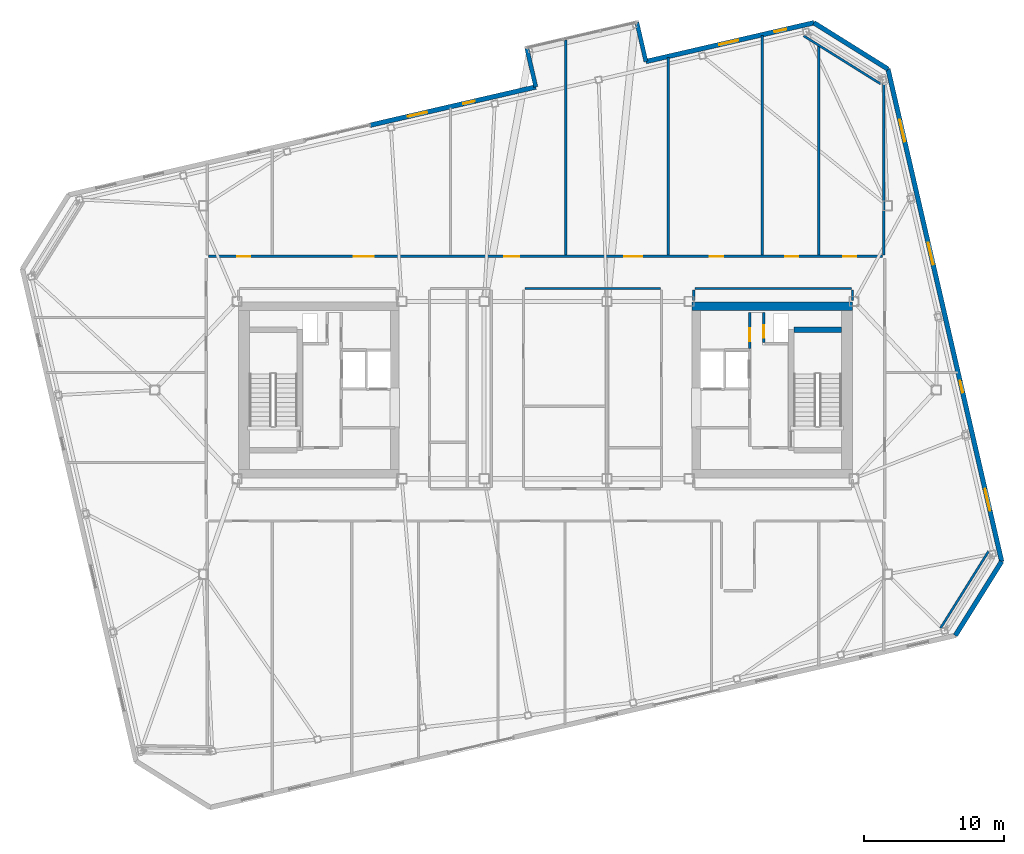
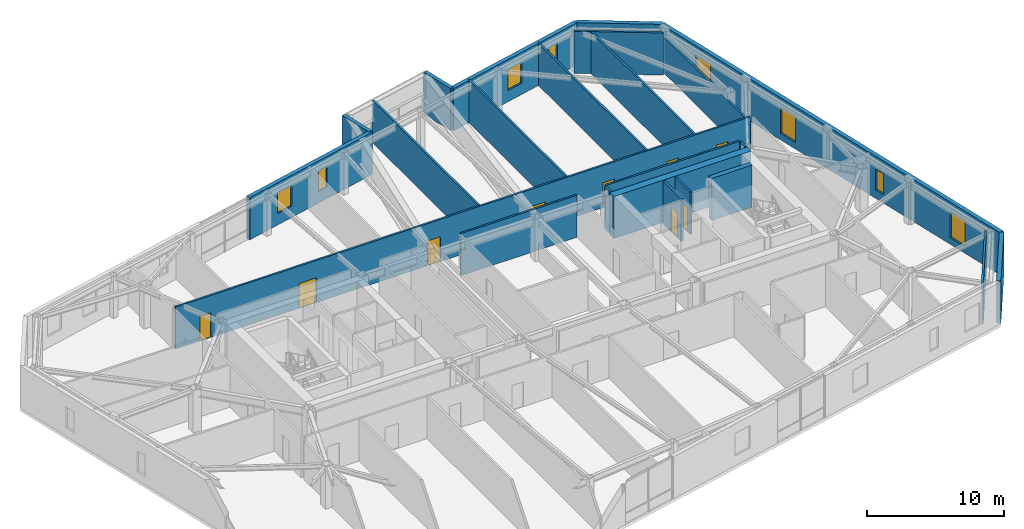
# One storey, part 20 of 24: 23 walls, 9 doors, 8 windows, 17 openings.
"""IFC4 building model written with IfcOpenShell, lengths in metres."""

import ifcopenshell
import ifcopenshell.guid

model = None  # the IFC model being written
_history = None  # IfcOwnerHistory: only IFC2X3 demands one
_inside = {}  # id of a spatial element -> (the spatial element, [elements in it])
_under = {}  # id of a project, library or spatial element -> (it, [spatial elements below it])
_declared = {}  # id of a project -> (the project, [libraries it declares])
_typed = {}  # id of a type object -> (the type object, [elements of that type])
_made_of = {}  # id of a material, layer set ... -> (it, [elements and type objects made of it])


def new_model(schema):
    """Start an empty IFC model of exactly this schema.

    Asked for "IFC4X3", IfcOpenShell would pick the latest addendum, in which some entities
    have other attributes; the version numbers below select the first issue.
    IFC2X3 requires an IfcOwnerHistory on every rooted entity: one is made here for all.
    """
    global model, _history
    if schema == "IFC4X3":
        model = ifcopenshell.file(schema_version=(4, 3, 0, 0))
    else:
        model = ifcopenshell.file(schema=schema)
    _inside.clear()
    _under.clear()
    _declared.clear()
    _typed.clear()
    _made_of.clear()
    _history = None
    if model.schema == "IFC2X3":
        org = make("IfcOrganization", Name="unknown")
        user = make(
            "IfcPersonAndOrganization",
            ThePerson=make("IfcPerson", FamilyName="unknown"),
            TheOrganization=org,
        )
        app = make(
            "IfcApplication",
            ApplicationDeveloper=org,
            Version="unknown",
            ApplicationFullName="unknown",
            ApplicationIdentifier="unknown",
        )
        _history = make(
            "IfcOwnerHistory",
            OwningUser=user,
            OwningApplication=app,
            ChangeAction="ADDED",
            CreationDate=0,
        )
    return model


def make(cls, **values):
    """One entity of the class cls with the attributes given. An attribute that is None is left unset."""
    return model.create_entity(
        cls, **{name: value for name, value in values.items() if value is not None}
    )


def rooted(cls, **values):
    """An entity with a GlobalId (a new one), such as an element, a storey or a relation."""
    return make(cls, GlobalId=ifcopenshell.guid.new(), OwnerHistory=_history, **values)


def si_unit(unit_type, name, prefix=None):
    """IfcSIUnit, for example si_unit("LENGTHUNIT", "METRE", prefix="MILLI")."""
    return make("IfcSIUnit", UnitType=unit_type, Prefix=prefix, Name=name)


def assignment(units):
    """IfcUnitAssignment: the units of a project."""
    return None if units is None else make("IfcUnitAssignment", Units=units)


def point(xyz):
    """IfcCartesianPoint."""
    return None if xyz is None else make("IfcCartesianPoint", Coordinates=xyz)


def direction(xyz):
    """IfcDirection."""
    return None if xyz is None else make("IfcDirection", DirectionRatios=xyz)


def frame(location, z_axis=None, x_axis=None):
    """IfcAxis2Placement3D, a coordinate frame: its origin and axes. An axis left out is left unset."""
    return make(
        "IfcAxis2Placement3D",
        Location=point(location),
        Axis=direction(z_axis),
        RefDirection=direction(x_axis),
    )


def frame_2d(location, x_axis=None):
    """IfcAxis2Placement2D, a coordinate frame in the plane: its origin and x axis."""
    return make(
        "IfcAxis2Placement2D", Location=point(location), RefDirection=direction(x_axis)
    )


def origin():
    """The frame at (0, 0, 0) with its axes left unset."""
    return frame((0.0, 0.0, 0.0))


def place(relative_to, where):
    """IfcLocalPlacement: puts the frame where relative to a parent placement (None: the world)."""
    return make(
        "IfcLocalPlacement", PlacementRelTo=relative_to, RelativePlacement=where
    )


def context(
    kind, dimensions, precision=None, world=None, true_north=None, identifier=None
):
    """IfcGeometricRepresentationContext, for example the 3D "Model" context."""
    return make(
        "IfcGeometricRepresentationContext",
        ContextIdentifier=identifier,
        ContextType=kind,
        CoordinateSpaceDimension=dimensions,
        Precision=precision,
        WorldCoordinateSystem=world,
        TrueNorth=true_north,
    )


def subcontext(parent, identifier, kind, view, scale=None):
    """IfcGeometricRepresentationSubContext, for example "Body" below "Model"."""
    return make(
        "IfcGeometricRepresentationSubContext",
        ContextIdentifier=identifier,
        ContextType=kind,
        ParentContext=parent,
        TargetScale=scale,
        TargetView=view,
    )


def project(units=None, contexts=None):
    """IfcProject with its units and contexts."""
    return rooted(
        "IfcProject",
        Name="project",
        RepresentationContexts=contexts,
        UnitsInContext=assignment(units),
    )


def spatial(cls, under=None, at=None, **own):
    """A site, building, storey or space (cls), placed at a placement, below another one or the project."""
    s = rooted(cls, ObjectPlacement=at, **own)
    if under is not None:
        _under.setdefault(under.id(), (under, []))[1].append(s)
    return s


def profile(cls, at=None, kind="AREA", **sizes):
    """A parametric profile (cls). Its sizes go by their IFC names, for example OverallWidth=200.0."""
    return make(cls, ProfileType=kind, Position=at, **sizes)


def rectangle(**sizes):
    """IfcRectangleProfileDef."""
    return profile("IfcRectangleProfileDef", **sizes)


def extrude(swept, where, along, depth):
    """IfcExtrudedAreaSolid: the profile swept, set in the frame where, extruded along a direction by depth."""
    return make(
        "IfcExtrudedAreaSolid",
        SweptArea=swept,
        Position=where,
        ExtrudedDirection=direction(along),
        Depth=depth,
    )


def shape(context_of_items, identifier, shape_type, items):
    """IfcShapeRepresentation: the items that make up one representation, for example the "Body"."""
    return make(
        "IfcShapeRepresentation",
        ContextOfItems=context_of_items,
        RepresentationIdentifier=identifier,
        RepresentationType=shape_type,
        Items=items,
    )


def material(Name=None, Category=None):
    """IfcMaterial."""
    return make("IfcMaterial", Name=Name, Category=Category)


def layer(
    of_material, thickness, ventilated=None, Name=None, Category=None, Priority=None
):
    """IfcMaterialLayer: one layer of a wall or slab, of a material (None: an air gap)."""
    return make(
        "IfcMaterialLayer",
        Material=of_material,
        LayerThickness=thickness,
        IsVentilated=ventilated,
        Name=Name,
        Category=Category,
        Priority=Priority,
    )


def layer_set(layers, Name=None):
    """IfcMaterialLayerSet."""
    return make("IfcMaterialLayerSet", MaterialLayers=layers, LayerSetName=Name)


def made_of(thing, what):
    """Note that an element or type object is made of a material, layer set ...; save() writes the relation."""
    if what is not None:
        _made_of.setdefault(what.id(), (what, []))[1].append(thing)
    return thing


def type_object(cls, material=None, **own):
    """A type object (cls), such as IfcWallType, which elements share."""
    return made_of(rooted(cls, **own), material)


def element(
    cls,
    number,
    at=None,
    inside=None,
    cuts=None,
    type_object=None,
    material=None,
    context=None,
    identifier="Body",
    shape_type=None,
    held_by="IfcProductDefinitionShape",
    body=None,
    shapes=None,
    **own,
):
    """One element of the class cls, such as IfcWall. Its Tag is "e" and its number.

    at: its placement. inside: the storey or other place that contains it. cuts: it is an
    opening in that element (IfcRelVoidsElement). A single representation is given by context,
    identifier, shape_type and body (its items); several are given by shapes. held_by: the class
    of the entity that holds the representations. save() writes the other relations.
    """
    e = rooted(cls, Tag="e%d" % number, ObjectPlacement=at, **own)
    if body is not None:
        shapes = [shape(context, identifier, shape_type, body)]
    if shapes is not None:
        e.Representation = make(held_by, Representations=shapes)
    if inside is not None:
        _inside.setdefault(inside.id(), (inside, []))[1].append(e)
    if cuts is not None:
        rooted(
            "IfcRelVoidsElement", RelatingBuildingElement=cuts, RelatedOpeningElement=e
        )
    if type_object is not None:
        _typed.setdefault(type_object.id(), (type_object, []))[1].append(e)
    return made_of(e, material)


def fill(opening, filler):
    """IfcRelFillsElement: the door or window that sits in an opening."""
    return rooted(
        "IfcRelFillsElement",
        RelatingOpeningElement=opening,
        RelatedBuildingElement=filler,
    )


def aggregate(whole, parts):
    """IfcRelAggregates: a whole, such as a stair, and the parts it consists of."""
    return rooted("IfcRelAggregates", RelatingObject=whole, RelatedObjects=parts)


def save(model, path):
    """Write the relations noted so far, then the file.

    IfcRelAggregates (storeys below a building ...), IfcRelContainedInSpatialStructure (elements
    in a storey), IfcRelDefinesByType, IfcRelAssociatesMaterial and IfcRelDeclares: one each for
    every whole, place, type object, material and project.
    """
    for whole, parts in _under.values():
        aggregate(whole, parts)
    for where, things in _inside.values():
        rooted(
            "IfcRelContainedInSpatialStructure",
            RelatedElements=things,
            RelatingStructure=where,
        )
    for kind, things in _typed.values():
        rooted("IfcRelDefinesByType", RelatedObjects=things, RelatingType=kind)
    for what, things in _made_of.values():
        rooted("IfcRelAssociatesMaterial", RelatedObjects=things, RelatingMaterial=what)
    for by, libraries in _declared.values():
        rooted("IfcRelDeclares", RelatingContext=by, RelatedDefinitions=libraries)
    model.write(path)


model = new_model("IFC4")

# Units and contexts
model_context = context("Model", 3, precision=1e-05, world=origin(), true_north=direction((0.0, 1.0)))
body_context = subcontext(model_context, "Body", "Model", "MODEL_VIEW")
ifc_project = project(units=[si_unit("LENGTHUNIT", "METRE"), si_unit("AREAUNIT", "SQUARE_METRE"), si_unit("VOLUMEUNIT", "CUBIC_METRE"), si_unit("PLANEANGLEUNIT", "RADIAN"), si_unit("MASSUNIT", "GRAM", prefix="KILO")], contexts=[model_context])

# Site, building, storey
site_placement = place(None, origin())
site = spatial("IfcSite", under=ifc_project, at=site_placement, CompositionType="ELEMENT")
building_placement = place(site_placement, origin())
building = spatial("IfcBuilding", under=site, at=building_placement, Name="Tavrogorsk Clinical Tower", CompositionType="ELEMENT")
storey_placement = place(building_placement, frame((0.0, 0.0, 309.0)))
storey = spatial("IfcBuildingStorey", under=building, at=storey_placement, Name="L72", CompositionType="ELEMENT", Elevation=309.0)

# Wall, opening, door
ifc_material_1 = material(Name="Concrete B60", Category="concrete")
ifc_layer_1 = layer(ifc_material_1, 0.199951171875)
ifc_layer_set_1 = layer_set([ifc_layer_1], Name="Concrete B60")
wall_type_1 = type_object("IfcWallType", Name="CoreFireWall_200", PredefinedType="SOLIDWALL", material=ifc_layer_set_1)
wall_1_placement = place(storey_placement, frame((14.639892578125, 2.9599609375, 0.0), z_axis=(0.0, 0.0, 1.0), x_axis=(0.0, 1.0, 0.0)))
wall_1 = element("IfcWall", 1, at=wall_1_placement, inside=storey, type_object=wall_type_1, Name="L72 Core East North Core Room East Wall", PredefinedType="SOLIDWALL", context=body_context, shape_type="SweptSolid", body=[
    extrude(rectangle(XDim=2.60009765625, YDim=0.199951171875, at=frame_2d((1.300048828125, 0.0))), origin(), (0.0, 0.0, 1.0), 3.739990234375),
])
opening_1_placement = place(wall_1_placement, frame((0.52001953125, 0.0, 0.0)))
opening_1 = element("IfcOpeningElement", 2, at=opening_1_placement, cuts=wall_1, Name="Opening ID-02", PredefinedType="OPENING", context=body_context, shape_type="SweptSolid", body=[
    extrude(rectangle(XDim=0.949951171875, YDim=2.199951171875, at=frame_2d((0.47509765625, 1.10009765625))), frame((0.0, 0.10986328125, 0.0), z_axis=(0.0, -1.0, 0.0), x_axis=(1.0, 0.0, 0.0)), (0.0, 0.0, 1.0), 0.219970703125),
])
ifc_material_2 = material(Name="Laminated timber leaf on aluminium frame", Category="wood")
door_type_1 = type_object("IfcDoorType", Name="InteriorDoor_ID02_950", OperationType="NOTDEFINED", PredefinedType="DOOR", material=ifc_material_2)
door_1_placement = place(opening_1_placement, origin())
door_1 = element("IfcDoor", 3, at=door_1_placement, inside=storey, type_object=door_type_1, Name="L72 Core East Core Telemetry Room Door", OperationType="SINGLE_SWING_LEFT", OverallHeight=2.199951171875, OverallWidth=0.949951171875, PredefinedType="DOOR", context=body_context, shape_type="SweptSolid", body=[
    extrude(rectangle(XDim=0.949951171875, YDim=2.199951171875, at=frame_2d((0.47509765625, 1.10009765625))), frame((0.0, 0.02490234375, 0.0), z_axis=(0.0, -1.0, 0.0), x_axis=(1.0, 0.0, 0.0)), (0.0, 0.0, 1.0), 0.050048828125),
])
fill(opening_1, door_1)

# Walls
ifc_material_3 = material(Name="Lightweight concrete blockwork B15", Category="masonry")
ifc_layer_2 = layer(ifc_material_3, 0.159912109375)
ifc_layer_set_2 = layer_set([ifc_layer_2], Name="Lightweight concrete blockwork B15")
wall_type_2 = type_object("IfcWallType", Name="PartitionWall_160", PredefinedType="PARTITIONING", material=ifc_layer_set_2)
for number, where, z_axis, x_axis, name in (
    (4, (28.30029296875, -17.064697265625, 0.0), (0.0, 0.0, 1.0), (0.529914601736, 0.848051009591, 0.0), "L72 Corner Exoskeleton Brace Furring Wall 1"),
    (5, (24.018310546875, 21.9306640625, 0.0), (0.0, 0.0, 1.0), (-0.848051009591, 0.529914601736, 0.0), "L72 Corner Exoskeleton Brace Furring Wall 2"),
):
    element("IfcWall", number, at=place(storey_placement, frame(where, z_axis=z_axis, x_axis=x_axis)), inside=storey, type_object=wall_type_2, Name=name, PredefinedType="PARTITIONING", context=body_context, shape_type="SweptSolid", body=[
        extrude(rectangle(XDim=6.50537109375, YDim=0.159912109375, at=frame_2d((3.252685546875, 0.0))), origin(), (0.0, 0.0, 1.0), 3.739990234375),
    ])

# Wall, openings, doors
wall_2_placement = place(storey_placement, frame((-24.14501953125, 9.580078125, 0.0), z_axis=(0.0, 0.0, 1.0), x_axis=(1.0, 0.0, 0.0)))
wall_2 = element("IfcWall", 6, at=wall_2_placement, inside=storey, type_object=wall_type_2, Name="L72 Corridor Partition 02", PredefinedType="PARTITIONING", context=body_context, shape_type="SweptSolid", body=[
    extrude(rectangle(XDim=48.2900390625, YDim=0.159912109375, at=frame_2d((24.14501953125, 0.0))), origin(), (0.0, 0.0, 1.0), 3.739990234375),
])
opening_2_placement = place(wall_2_placement, frame((2.044189453125, 0.0, 0.0)))
opening_2 = element("IfcOpeningElement", 7, at=opening_2_placement, cuts=wall_2, Name="Opening ID-02", PredefinedType="OPENING", context=body_context, shape_type="SweptSolid", body=[
    extrude(rectangle(XDim=0.949951171875, YDim=2.199951171875, at=frame_2d((0.47509765625, 1.10009765625))), frame((0.0, 0.08984375, 0.0), z_axis=(0.0, -1.0, 0.0), x_axis=(1.0, 0.0, 0.0)), (0.0, 0.0, 1.0), 0.179931640625),
])
opening_3_placement = place(wall_2_placement, frame((10.389892578125, 0.0, 0.0)))
opening_3 = element("IfcOpeningElement", 8, at=opening_3_placement, cuts=wall_2, Name="Opening ID-05", PredefinedType="OPENING", context=body_context, shape_type="SweptSolid", body=[
    extrude(rectangle(XDim=1.449951171875, YDim=2.199951171875, at=frame_2d((0.72509765625, 1.10009765625))), frame((0.0, 0.08984375, 0.0), z_axis=(0.0, -1.0, 0.0), x_axis=(1.0, 0.0, 0.0)), (0.0, 0.0, 1.0), 0.179931640625),
])
opening_4_placement = place(wall_2_placement, frame((21.199951171875, 0.0, 0.0)))
opening_4 = element("IfcOpeningElement", 9, at=opening_4_placement, cuts=wall_2, Name="Opening ID-04", PredefinedType="OPENING", context=body_context, shape_type="SweptSolid", body=[
    extrude(rectangle(XDim=1.050048828125, YDim=2.199951171875, at=frame_2d((0.52490234375, 1.10009765625))), frame((0.0, 0.08984375, 0.0), z_axis=(0.0, -1.0, 0.0), x_axis=(1.0, 0.0, 0.0)), (0.0, 0.0, 1.0), 0.179931640625),
])
opening_5_placement = place(wall_2_placement, frame((29.784912109375, 0.0, 0.0)))
opening_5 = element("IfcOpeningElement", 10, at=opening_5_placement, cuts=wall_2, Name="Opening ID-01", PredefinedType="OPENING", context=body_context, shape_type="SweptSolid", body=[
    extrude(rectangle(XDim=1.300048828125, YDim=2.199951171875, at=frame_2d((0.64990234375, 1.10009765625))), frame((0.0, 0.08984375, 0.0), z_axis=(0.0, -1.0, 0.0), x_axis=(1.0, 0.0, 0.0)), (0.0, 0.0, 1.0), 0.179931640625),
])
opening_6_placement = place(wall_2_placement, frame((35.919921875, 0.0, 0.0)))
opening_6 = element("IfcOpeningElement", 11, at=opening_6_placement, cuts=wall_2, Name="Opening ID-02", PredefinedType="OPENING", context=body_context, shape_type="SweptSolid", body=[
    extrude(rectangle(XDim=0.949951171875, YDim=2.199951171875, at=frame_2d((0.47509765625, 1.10009765625))), frame((0.0, 0.08984375, 0.0), z_axis=(0.0, -1.0, 0.0), x_axis=(1.0, 0.0, 0.0)), (0.0, 0.0, 1.0), 0.179931640625),
])
opening_7_placement = place(wall_2_placement, frame((41.31005859375, 0.0, 0.0)))
opening_7 = element("IfcOpeningElement", 12, at=opening_7_placement, cuts=wall_2, Name="Opening ID-02", PredefinedType="OPENING", context=body_context, shape_type="SweptSolid", body=[
    extrude(rectangle(XDim=0.949951171875, YDim=2.199951171875, at=frame_2d((0.47509765625, 1.10009765625))), frame((0.0, 0.08984375, 0.0), z_axis=(0.0, -1.0, 0.0), x_axis=(1.0, 0.0, 0.0)), (0.0, 0.0, 1.0), 0.179931640625),
])
opening_8_placement = place(wall_2_placement, frame((45.4658203125, 0.0, 0.0)))
opening_8 = element("IfcOpeningElement", 13, at=opening_8_placement, cuts=wall_2, Name="Opening ID-02", PredefinedType="OPENING", context=body_context, shape_type="SweptSolid", body=[
    extrude(rectangle(XDim=0.949951171875, YDim=2.199951171875, at=frame_2d((0.47509765625, 1.10009765625))), frame((0.0, 0.08984375, 0.0), z_axis=(0.0, -1.0, 0.0), x_axis=(1.0, 0.0, 0.0)), (0.0, 0.0, 1.0), 0.179931640625),
])
ifc_material_4 = material(Name="Antibacterial HPL consultation door on aluminium frame", Category="aluminium")
door_type_2 = type_object("IfcDoorType", Name="ConsultDoor_ID04_1050", OperationType="NOTDEFINED", PredefinedType="DOOR", material=ifc_material_4)
door_2_placement = place(opening_4_placement, origin())
door_2 = element("IfcDoor", 14, at=door_2_placement, inside=storey, type_object=door_type_2, Name="L72 North Clinical Examination Suite 03A Door", OperationType="SINGLE_SWING_LEFT", OverallHeight=2.199951171875, OverallWidth=1.050048828125, PredefinedType="DOOR", context=body_context, shape_type="SweptSolid", body=[
    extrude(rectangle(XDim=1.050048828125, YDim=2.199951171875, at=frame_2d((0.52490234375, 1.10009765625))), frame((0.0, 0.02490234375, 0.0), z_axis=(0.0, -1.0, 0.0), x_axis=(1.0, 0.0, 0.0)), (0.0, 0.0, 1.0), 0.050048828125),
])
fill(opening_4, door_2)
ifc_material_5 = material(Name="Antibacterial HPL bariatric ward double door")
door_type_3 = type_object("IfcDoorType", Name="DoubleWardDoor_ID05_1450", OperationType="DOUBLE_SWING_LEFT", PredefinedType="DOOR", material=ifc_material_5)
door_3_placement = place(opening_3_placement, origin())
door_3 = element("IfcDoor", 15, at=door_3_placement, inside=storey, type_object=door_type_3, Name="L72 North Inpatient Clinical Ward 02 Door", OperationType="DOUBLE_SWING_LEFT", OverallHeight=2.199951171875, OverallWidth=1.449951171875, PredefinedType="DOOR", context=body_context, shape_type="SweptSolid", body=[
    extrude(rectangle(XDim=1.449951171875, YDim=2.199951171875, at=frame_2d((0.72509765625, 1.10009765625))), frame((0.0, 0.02490234375, 0.0), z_axis=(0.0, -1.0, 0.0), x_axis=(1.0, 0.0, 0.0)), (0.0, 0.0, 1.0), 0.050048828125),
])
fill(opening_3, door_3)
door_4_placement = place(opening_2_placement, origin())
door_4 = element("IfcDoor", 16, at=door_4_placement, inside=storey, type_object=door_type_1, Name="L72 North Multidisciplinary Case Room 01 Door", OperationType="SINGLE_SWING_LEFT", OverallHeight=2.199951171875, OverallWidth=0.949951171875, PredefinedType="DOOR", context=body_context, shape_type="SweptSolid", body=[
    extrude(rectangle(XDim=0.949951171875, YDim=2.199951171875, at=frame_2d((0.47509765625, 1.10009765625))), frame((0.0, 0.02490234375, 0.0), z_axis=(0.0, -1.0, 0.0), x_axis=(1.0, 0.0, 0.0)), (0.0, 0.0, 1.0), 0.050048828125),
])
fill(opening_2, door_4)
door_5_placement = place(opening_6_placement, origin())
door_5 = element("IfcDoor", 17, at=door_5_placement, inside=storey, type_object=door_type_1, Name="L72 North Diagnostic Ultrasound Suite 04A Door", OperationType="SINGLE_SWING_LEFT", OverallHeight=2.199951171875, OverallWidth=0.949951171875, PredefinedType="DOOR", context=body_context, shape_type="SweptSolid", body=[
    extrude(rectangle(XDim=0.949951171875, YDim=2.199951171875, at=frame_2d((0.47509765625, 1.10009765625))), frame((0.0, 0.02490234375, 0.0), z_axis=(0.0, -1.0, 0.0), x_axis=(1.0, 0.0, 0.0)), (0.0, 0.0, 1.0), 0.050048828125),
])
fill(opening_6, door_5)
door_6_placement = place(opening_7_placement, origin())
door_6 = element("IfcDoor", 18, at=door_6_placement, inside=storey, type_object=door_type_1, Name="L72 North Multidisciplinary Case Room 04B Door", OperationType="SINGLE_SWING_RIGHT", OverallHeight=2.199951171875, OverallWidth=0.949951171875, PredefinedType="DOOR", context=body_context, shape_type="SweptSolid", body=[
    extrude(rectangle(XDim=0.949951171875, YDim=2.199951171875, at=frame_2d((0.47509765625, 1.10009765625))), frame((0.0, 0.02490234375, 0.0), z_axis=(0.0, -1.0, 0.0), x_axis=(1.0, 0.0, 0.0)), (0.0, 0.0, 1.0), 0.050048828125),
])
fill(opening_7, door_6)
door_7_placement = place(opening_8_placement, origin())
door_7 = element("IfcDoor", 19, at=door_7_placement, inside=storey, type_object=door_type_1, Name="L72 North Physiotherapy Rehab Studio 05 Door", OperationType="SINGLE_SWING_LEFT", OverallHeight=2.199951171875, OverallWidth=0.949951171875, PredefinedType="DOOR", context=body_context, shape_type="SweptSolid", body=[
    extrude(rectangle(XDim=0.949951171875, YDim=2.199951171875, at=frame_2d((0.47509765625, 1.10009765625))), frame((0.0, 0.02490234375, 0.0), z_axis=(0.0, -1.0, 0.0), x_axis=(1.0, 0.0, 0.0)), (0.0, 0.0, 1.0), 0.050048828125),
])
fill(opening_8, door_7)
ifc_material_6 = material(Name="Antibacterial HPL medical leaf on aluminium frame", Category="aluminium")
door_type_4 = type_object("IfcDoorType", Name="WardBedDoor_ID01_1300", OperationType="NOTDEFINED", PredefinedType="DOOR", material=ifc_material_6)
door_8_placement = place(opening_5_placement, origin())
door_8 = element("IfcDoor", 20, at=door_8_placement, inside=storey, type_object=door_type_4, Name="L72 North Sub-Acute Recovery Ward 03B Door", OperationType="SINGLE_SWING_RIGHT", OverallHeight=2.199951171875, OverallWidth=1.300048828125, PredefinedType="DOOR", context=body_context, shape_type="SweptSolid", body=[
    extrude(rectangle(XDim=1.300048828125, YDim=2.199951171875, at=frame_2d((0.64990234375, 1.10009765625))), frame((0.0, 0.02490234375, 0.0), z_axis=(0.0, -1.0, 0.0), x_axis=(1.0, 0.0, 0.0)), (0.0, 0.0, 1.0), 0.050048828125),
])
fill(opening_5, door_8)

# Walls
wall_3_placement = place(storey_placement, frame((21.9150390625, 7.27001953125, 0.0), z_axis=(0.0, 0.0, 1.0), x_axis=(-1.0, 0.0, 0.0)))
element("IfcWall", 21, at=wall_3_placement, inside=storey, type_object=wall_type_2, Name="L72 Corridor Partition 09", PredefinedType="PARTITIONING", context=body_context, shape_type="SweptSolid", body=[
    extrude(rectangle(XDim=11.199951171875, YDim=0.159912109375, at=frame_2d((5.60009765625, 0.0))), origin(), (0.0, 0.0, 1.0), 3.739990234375),
])
for number, where, z_axis, x_axis, name in (
    (22, (10.6298828125, 7.18505859375, 0.0), (0.0, 0.0, 1.0), (0.0, -1.0, 0.0), "L72 Corridor Partition 10"),
    (23, (22.0, 6.419921875, 0.0), (0.0, 0.0, 1.0), (0.0, 1.0, 0.0), "L72 Corridor Partition 14"),
):
    element("IfcWall", number, at=place(storey_placement, frame(where, z_axis=z_axis, x_axis=x_axis)), inside=storey, type_object=wall_type_2, Name=name, PredefinedType="PARTITIONING", context=body_context, shape_type="SweptSolid", body=[
        extrude(rectangle(XDim=0.76513671875, YDim=0.159912109375, at=frame_2d((0.382568359375, 0.0))), origin(), (0.0, 0.0, 1.0), 3.739990234375),
    ])
wall_4_placement = place(storey_placement, frame((8.235107421875, 7.27001953125, 0.0), z_axis=(0.0, 0.0, 1.0), x_axis=(-1.0, 0.0, 0.0)))
element("IfcWall", 24, at=wall_4_placement, inside=storey, type_object=wall_type_2, Name="L72 Corridor Partition 15", PredefinedType="PARTITIONING", context=body_context, shape_type="SweptSolid", body=[
    extrude(rectangle(XDim=9.72021484375, YDim=0.159912109375, at=frame_2d((4.860107421875, 0.0))), origin(), (0.0, 0.0, 1.0), 3.739990234375),
])
wall_5_placement = place(storey_placement, frame((24.22998046875, 9.6650390625, 0.0), z_axis=(0.0, 0.0, 1.0), x_axis=(0.0, 1.0, 0.0)))
element("IfcWall", 25, at=wall_5_placement, inside=storey, type_object=wall_type_2, Name="L72 NE Wing Closure Partition", PredefinedType="PARTITIONING", context=body_context, shape_type="SweptSolid", body=[
    extrude(rectangle(XDim=12.90625, YDim=0.159912109375, at=frame_2d((6.453125, 0.0))), origin(), (0.0, 0.0, 1.0), 3.18505859375),
])
wall_6_placement = place(storey_placement, frame((8.800048828125, 9.6650390625, 0.0), z_axis=(0.0, 0.0, 1.0), x_axis=(0.0, 1.0, 0.0)))
element("IfcWall", 26, at=wall_6_placement, inside=storey, type_object=wall_type_2, Name="L72 North Room Partition 3", PredefinedType="PARTITIONING", context=body_context, shape_type="SweptSolid", body=[
    extrude(rectangle(XDim=14.17138671875, YDim=0.159912109375, at=frame_2d((7.085693359375, 0.0))), origin(), (0.0, 0.0, 1.0), 3.739990234375),
])
wall_7_placement = place(storey_placement, frame((19.580078125, 9.6650390625, 0.0), z_axis=(0.0, 0.0, 1.0), x_axis=(0.0, 1.0, 0.0)))
element("IfcWall", 27, at=wall_7_placement, inside=storey, type_object=wall_type_2, Name="L72 North Room Partition 4", PredefinedType="PARTITIONING", context=body_context, shape_type="SweptSolid", body=[
    extrude(rectangle(XDim=15.04833984375, YDim=0.159912109375, at=frame_2d((7.524169921875, 0.0))), origin(), (0.0, 0.0, 1.0), 3.739990234375),
])
wall_8_placement = place(storey_placement, frame((1.449951171875, 9.6650390625, 0.0), z_axis=(0.0, 0.0, 1.0), x_axis=(0.0, 1.0, 0.0)))
element("IfcWall", 28, at=wall_8_placement, inside=storey, type_object=wall_type_2, Name="L72 North Sub-Partition 3", PredefinedType="PARTITIONING", context=body_context, shape_type="SweptSolid", body=[
    extrude(rectangle(XDim=15.399658203125, YDim=0.159912109375, at=frame_2d((7.69970703125, 0.0))), origin(), (0.0, 0.0, 1.0), 3.739990234375),
])
wall_9_placement = place(storey_placement, frame((15.530029296875, 9.6650390625, 0.0), z_axis=(0.0, 0.0, 1.0), x_axis=(0.0, 1.0, 0.0)))
element("IfcWall", 29, at=wall_9_placement, inside=storey, type_object=wall_type_2, Name="L72 North Sub-Partition 4", PredefinedType="PARTITIONING", context=body_context, shape_type="SweptSolid", body=[
    extrude(rectangle(XDim=15.725341796875, YDim=0.159912109375, at=frame_2d((7.86279296875, 0.0))), origin(), (0.0, 0.0, 1.0), 3.739990234375),
])

# Wall, openings, windows
ifc_material_7 = material(Name="Precast concrete B45 with limestone cladding", Category="masonry")
ifc_layer_3 = layer(ifc_material_7, 0.340087890625)
ifc_layer_set_3 = layer_set([ifc_layer_3], Name="Precast concrete B45 with limestone cladding")
wall_type_3 = type_object("IfcWallType", Name="PrecastLimestoneWall_340", PredefinedType="STANDARD", material=ifc_layer_set_3)
wall_10_placement = place(storey_placement, frame((19.2294921875, 26.316162109375, 0.0), z_axis=(0.0, 0.0, 1.0), x_axis=(-0.974371201193, -0.224946131964, 0.0)))
wall_10 = element("IfcWall", 30, at=wall_10_placement, inside=storey, type_object=wall_type_3, Name="L72 N Limestone Facade Wall 1", PredefinedType="STANDARD", context=body_context, shape_type="SweptSolid", body=[
    extrude(rectangle(XDim=12.349853515625, YDim=0.340087890625, at=frame_2d((6.1748046875, 0.0))), origin(), (0.0, 0.0, 1.0), 3.739990234375),
])
opening_9_placement = place(wall_10_placement, frame((5.552978515625, 0.0, 1.0)))
opening_9 = element("IfcOpeningElement", 31, at=opening_9_placement, cuts=wall_10, Name="Opening WN-17", PredefinedType="OPENING", context=body_context, shape_type="SweptSolid", body=[
    extrude(rectangle(XDim=1.39990234375, YDim=1.85009765625, at=frame_2d((0.699951171875, 0.925048828125))), frame((0.0, 0.179931640625, 0.0), z_axis=(0.0, -1.0, 0.0), x_axis=(1.0, 0.0, 0.0)), (0.0, 0.0, 1.0), 0.360107421875),
])
opening_10_placement = place(wall_10_placement, frame((2.041259765625, 0.0, 1.0)))
opening_10 = element("IfcOpeningElement", 32, at=opening_10_placement, cuts=wall_10, Name="Opening WN-06", PredefinedType="OPENING", context=body_context, shape_type="SweptSolid", body=[
    extrude(rectangle(XDim=0.85009765625, YDim=1.85009765625, at=frame_2d((0.425048828125, 0.925048828125))), frame((0.0, 0.179931640625, 0.0), z_axis=(0.0, -1.0, 0.0), x_axis=(1.0, 0.0, 0.0)), (0.0, 0.0, 1.0), 0.360107421875),
])
ifc_material_8 = material(Name="Thermally broken aluminium frame and triple IGU", Category="aluminium")
window_type_1 = type_object("IfcWindowType", Name="MullionSubWin_850x1850", PartitioningType="SINGLE_PANEL", PredefinedType="WINDOW", material=ifc_material_8)
window_1_placement = place(opening_10_placement, origin())
window_1 = element("IfcWindow", 33, at=window_1_placement, inside=storey, type_object=window_type_1, Name="L72 N Mullion Split Window 10A", OverallHeight=1.85009765625, OverallWidth=0.85009765625, PartitioningType="SINGLE_PANEL", PredefinedType="WINDOW", context=body_context, shape_type="SweptSolid", body=[
    extrude(rectangle(XDim=0.85009765625, YDim=1.85009765625, at=frame_2d((0.425048828125, 0.925048828125))), frame((0.0, 0.030029296875, 0.0), z_axis=(0.0, -1.0, 0.0), x_axis=(1.0, 0.0, 0.0)), (0.0, 0.0, 1.0), 0.06005859375),
])
fill(opening_10, window_1)
ifc_material_9 = material(Name="Thermally broken aluminium frame and triple IGU", Category="aluminium")
window_type_2 = type_object("IfcWindowType", Name="TelemetryWin_1400x1850", PartitioningType="SINGLE_PANEL", PredefinedType="WINDOW", material=ifc_material_9)
window_2_placement = place(opening_9_placement, origin())
window_2 = element("IfcWindow", 34, at=window_2_placement, inside=storey, type_object=window_type_2, Name="L72 N Chicago Window 09", OverallHeight=1.85009765625, OverallWidth=1.39990234375, PartitioningType="SINGLE_PANEL", PredefinedType="WINDOW", context=body_context, shape_type="SweptSolid", body=[
    extrude(rectangle(XDim=1.39990234375, YDim=1.85009765625, at=frame_2d((0.699951171875, 0.925048828125))), frame((0.0, 0.030029296875, 0.0), z_axis=(0.0, -1.0, 0.0), x_axis=(1.0, 0.0, 0.0)), (0.0, 0.0, 1.0), 0.06005859375),
])
fill(opening_9, window_2)

wall_11_placement = place(storey_placement, frame((-0.6962890625, 21.716064453125, 0.0), z_axis=(0.0, 0.0, 1.0), x_axis=(-0.974367550465, -0.224961944785, 0.0)))
wall_11 = element("IfcWall", 35, at=wall_11_placement, inside=storey, type_object=wall_type_3, Name="L72 N Limestone Facade Wall 2", PredefinedType="STANDARD", context=body_context, shape_type="SweptSolid", body=[
    extrude(rectangle(XDim=12.18408203125, YDim=0.340087890625, at=frame_2d((6.092041015625, 0.0))), origin(), (0.0, 0.0, 1.0), 3.739990234375),
])
opening_11_placement = place(wall_11_placement, frame((8.005859375, 0.0, 1.0)))
opening_11 = element("IfcOpeningElement", 36, at=opening_11_placement, cuts=wall_11, Name="Opening WN-17", PredefinedType="OPENING", context=body_context, shape_type="SweptSolid", body=[
    extrude(rectangle(XDim=1.39990234375, YDim=1.85009765625, at=frame_2d((0.699951171875, 0.925048828125))), frame((0.0, 0.179931640625, 0.0), z_axis=(0.0, -1.0, 0.0), x_axis=(1.0, 0.0, 0.0)), (0.0, 0.0, 1.0), 0.360107421875),
])
opening_12_placement = place(wall_11_placement, frame((4.494140625, 0.0, 1.0)))
opening_12 = element("IfcOpeningElement", 37, at=opening_12_placement, cuts=wall_11, Name="Opening WN-06", PredefinedType="OPENING", context=body_context, shape_type="SweptSolid", body=[
    extrude(rectangle(XDim=0.85009765625, YDim=1.85009765625, at=frame_2d((0.425048828125, 0.925048828125))), frame((0.0, 0.179931640625, 0.0), z_axis=(0.0, -1.0, 0.0), x_axis=(1.0, 0.0, 0.0)), (0.0, 0.0, 1.0), 0.360107421875),
])
window_3_placement = place(opening_12_placement, origin())
window_3 = element("IfcWindow", 38, at=window_3_placement, inside=storey, type_object=window_type_1, Name="L72 N Mullion Split Window 06A", OverallHeight=1.85009765625, OverallWidth=0.85009765625, PartitioningType="SINGLE_PANEL", PredefinedType="WINDOW", context=body_context, shape_type="SweptSolid", body=[
    extrude(rectangle(XDim=0.85009765625, YDim=1.85009765625, at=frame_2d((0.425048828125, 0.925048828125))), frame((0.0, 0.030029296875, 0.0), z_axis=(0.0, -1.0, 0.0), x_axis=(1.0, 0.0, 0.0)), (0.0, 0.0, 1.0), 0.06005859375),
])
fill(opening_12, window_3)
window_4_placement = place(opening_11_placement, origin())
window_4 = element("IfcWindow", 39, at=window_4_placement, inside=storey, type_object=window_type_2, Name="L72 N Chicago Window 05", OverallHeight=1.85009765625, OverallWidth=1.39990234375, PartitioningType="SINGLE_PANEL", PredefinedType="WINDOW", context=body_context, shape_type="SweptSolid", body=[
    extrude(rectangle(XDim=1.39990234375, YDim=1.85009765625, at=frame_2d((0.699951171875, 0.925048828125))), frame((0.0, 0.030029296875, 0.0), z_axis=(0.0, -1.0, 0.0), x_axis=(1.0, 0.0, 0.0)), (0.0, 0.0, 1.0), 0.06005859375),
])
fill(opening_11, window_4)

wall_12_placement = place(storey_placement, frame((32.685791015625, -12.27587890625, 0.0), z_axis=(0.0, 0.0, 1.0), x_axis=(-0.224953091034, 0.974369594576, 0.0)))
wall_12 = element("IfcWall", 40, at=wall_12_placement, inside=storey, type_object=wall_type_3, Name="L72 E Pleated Limestone Wing Wall", PredefinedType="STANDARD", context=body_context, shape_type="SweptSolid", body=[
    extrude(rectangle(XDim=36.199951171875, YDim=0.340087890625, at=frame_2d((18.10009765625, 0.0))), origin(), (0.0, 0.0, 1.0), 3.739990234375),
])
opening_13_placement = place(wall_12_placement, frame((3.72509765625, 0.0, 0.580078125)))
opening_13 = element("IfcOpeningElement", 41, at=opening_13_placement, cuts=wall_12, Name="Opening WN-07", PredefinedType="OPENING", context=body_context, shape_type="SweptSolid", body=[
    extrude(rectangle(XDim=1.60009765625, YDim=2.300048828125, at=frame_2d((0.800048828125, 1.14990234375))), frame((0.0, 0.179931640625, 0.0), z_axis=(0.0, -1.0, 0.0), x_axis=(1.0, 0.0, 0.0)), (0.0, 0.0, 1.0), 0.360107421875),
])
opening_14_placement = place(wall_12_placement, frame((12.425048828125, 0.0, 0.75)))
opening_14 = element("IfcOpeningElement", 42, at=opening_14_placement, cuts=wall_12, Name="Opening WN-06", PredefinedType="OPENING", context=body_context, shape_type="SweptSolid", body=[
    extrude(rectangle(XDim=0.85009765625, YDim=1.85009765625, at=frame_2d((0.425048828125, 0.925048828125))), frame((0.0, 0.179931640625, 0.0), z_axis=(0.0, -1.0, 0.0), x_axis=(1.0, 0.0, 0.0)), (0.0, 0.0, 1.0), 0.360107421875),
])
opening_15_placement = place(wall_12_placement, frame((21.824951171875, 0.0, 0.580078125)))
opening_15 = element("IfcOpeningElement", 43, at=opening_15_placement, cuts=wall_12, Name="Opening WN-07", PredefinedType="OPENING", context=body_context, shape_type="SweptSolid", body=[
    extrude(rectangle(XDim=1.60009765625, YDim=2.300048828125, at=frame_2d((0.800048828125, 1.14990234375))), frame((0.0, 0.179931640625, 0.0), z_axis=(0.0, -1.0, 0.0), x_axis=(1.0, 0.0, 0.0)), (0.0, 0.0, 1.0), 0.360107421875),
])
opening_16_placement = place(wall_12_placement, frame((30.875, 0.0, 0.580078125)))
opening_16 = element("IfcOpeningElement", 44, at=opening_16_placement, cuts=wall_12, Name="Opening WN-07", PredefinedType="OPENING", context=body_context, shape_type="SweptSolid", body=[
    extrude(rectangle(XDim=1.60009765625, YDim=2.300048828125, at=frame_2d((0.800048828125, 1.14990234375))), frame((0.0, 0.179931640625, 0.0), z_axis=(0.0, -1.0, 0.0), x_axis=(1.0, 0.0, 0.0)), (0.0, 0.0, 1.0), 0.360107421875),
])
window_5_placement = place(opening_14_placement, origin())
window_5 = element("IfcWindow", 45, at=window_5_placement, inside=storey, type_object=window_type_1, Name="L72 E Pleat Mullion Window 2A", OverallHeight=1.85009765625, OverallWidth=0.85009765625, PartitioningType="SINGLE_PANEL", PredefinedType="WINDOW", context=body_context, shape_type="SweptSolid", body=[
    extrude(rectangle(XDim=0.85009765625, YDim=1.85009765625, at=frame_2d((0.425048828125, 0.925048828125))), frame((0.0, 0.030029296875, 0.0), z_axis=(0.0, -1.0, 0.0), x_axis=(1.0, 0.0, 0.0)), (0.0, 0.0, 1.0), 0.06005859375),
])
fill(opening_14, window_5)
ifc_material_10 = material(Name="Thermally broken aluminium frame and triple IGU", Category="aluminium")
window_type_3 = type_object("IfcWindowType", Name="PleatSlotWin_1600x2300", PartitioningType="SINGLE_PANEL", PredefinedType="WINDOW", material=ifc_material_10)
window_6_placement = place(opening_13_placement, origin())
window_6 = element("IfcWindow", 46, at=window_6_placement, inside=storey, type_object=window_type_3, Name="L72 E Pleat Slot Window 1", OverallHeight=2.300048828125, OverallWidth=1.60009765625, PartitioningType="SINGLE_PANEL", PredefinedType="WINDOW", context=body_context, shape_type="SweptSolid", body=[
    extrude(rectangle(XDim=1.60009765625, YDim=2.300048828125, at=frame_2d((0.800048828125, 1.14990234375))), frame((0.0, 0.030029296875, 0.0), z_axis=(0.0, -1.0, 0.0), x_axis=(1.0, 0.0, 0.0)), (0.0, 0.0, 1.0), 0.06005859375),
])
fill(opening_13, window_6)
window_7_placement = place(opening_15_placement, origin())
window_7 = element("IfcWindow", 47, at=window_7_placement, inside=storey, type_object=window_type_3, Name="L72 E Pleat Slot Window 3", OverallHeight=2.300048828125, OverallWidth=1.60009765625, PartitioningType="SINGLE_PANEL", PredefinedType="WINDOW", context=body_context, shape_type="SweptSolid", body=[
    extrude(rectangle(XDim=1.60009765625, YDim=2.300048828125, at=frame_2d((0.800048828125, 1.14990234375))), frame((0.0, 0.030029296875, 0.0), z_axis=(0.0, -1.0, 0.0), x_axis=(1.0, 0.0, 0.0)), (0.0, 0.0, 1.0), 0.06005859375),
])
fill(opening_15, window_7)
window_8_placement = place(opening_16_placement, origin())
window_8 = element("IfcWindow", 48, at=window_8_placement, inside=storey, type_object=window_type_3, Name="L72 E Pleat Slot Window 4", OverallHeight=2.300048828125, OverallWidth=1.60009765625, PartitioningType="SINGLE_PANEL", PredefinedType="WINDOW", context=body_context, shape_type="SweptSolid", body=[
    extrude(rectangle(XDim=1.60009765625, YDim=2.300048828125, at=frame_2d((0.800048828125, 1.14990234375))), frame((0.0, 0.030029296875, 0.0), z_axis=(0.0, -1.0, 0.0), x_axis=(1.0, 0.0, 0.0)), (0.0, 0.0, 1.0), 0.06005859375),
])
fill(opening_16, window_8)

# Walls
for number, where, z_axis, x_axis, name in (
    (49, (29.365966796875, -17.5888671875, 0.0), (0.0, 0.0, 1.0), (0.529907862057, 0.848055220921, 0.0), "L72 Chamfered Corner Wall 1"),
    (50, (24.54248046875, 22.996337890625, 0.0), (0.0, 0.0, 1.0), (-0.848055220921, 0.529907862057, 0.0), "L72 Chamfered Corner Wall 2"),
):
    element("IfcWall", number, at=place(storey_placement, frame(where, z_axis=z_axis, x_axis=x_axis)), inside=storey, type_object=wall_type_3, Name=name, PredefinedType="STANDARD", context=body_context, shape_type="SweptSolid", body=[
        extrude(rectangle(XDim=6.264892578125, YDim=0.340087890625, at=frame_2d((3.13232421875, 0.0))), origin(), (0.0, 0.0, 1.0), 3.739990234375),
    ])

# Wall, opening, door
ifc_material_11 = material(Name="Lightweight concrete blockwork B25", Category="masonry")
ifc_layer_4 = layer(ifc_material_11, 0.159912109375)
ifc_layer_set_4 = layer_set([ifc_layer_4], Name="Lightweight concrete blockwork B25")
wall_type_4 = type_object("IfcWallType", Name="ShaftWall_160", PredefinedType="PARTITIONING", material=ifc_layer_set_4)
wall_13_placement = place(storey_placement, frame((15.639892578125, 3.405029296875, 0.0), z_axis=(0.0, 0.0, 1.0), x_axis=(0.0, 1.0, 0.0)))
wall_13 = element("IfcWall", 51, at=wall_13_placement, inside=storey, type_object=wall_type_4, Name="L72 Core East Riser West Wall", PredefinedType="PARTITIONING", context=body_context, shape_type="SweptSolid", body=[
    extrude(rectangle(XDim=2.155029296875, YDim=0.159912109375, at=frame_2d((1.07763671875, 0.0))), origin(), (0.0, 0.0, 1.0), 3.739990234375),
])
opening_17_placement = place(wall_13_placement, frame((0.35009765625, 0.0, 0.0)))
opening_17 = element("IfcOpeningElement", 52, at=opening_17_placement, cuts=wall_13, Name="Opening FD-02", PredefinedType="OPENING", context=body_context, shape_type="SweptSolid", body=[
    extrude(rectangle(XDim=0.89990234375, YDim=2.199951171875, at=frame_2d((0.449951171875, 1.10009765625))), frame((0.0, 0.08984375, 0.0), z_axis=(0.0, -1.0, 0.0), x_axis=(1.0, 0.0, 0.0)), (0.0, 0.0, 1.0), 0.179931640625),
])
ifc_material_12 = material(Name="Galvanised steel fire-rated door assembly", Category="steel")
door_type_5 = type_object("IfcDoorType", Name="FireDoor_FD02_900", OperationType="NOTDEFINED", PredefinedType="DOOR", material=ifc_material_12)
door_9_placement = place(opening_17_placement, origin())
door_9 = element("IfcDoor", 53, at=door_9_placement, inside=storey, type_object=door_type_5, Name="L72 Core East Electrical Riser Access Door", OperationType="SINGLE_SWING_LEFT", OverallHeight=2.199951171875, OverallWidth=0.89990234375, PredefinedType="DOOR", context=body_context, shape_type="SweptSolid", body=[
    extrude(rectangle(XDim=0.89990234375, YDim=2.199951171875, at=frame_2d((0.449951171875, 1.10009765625))), frame((0.0, 0.02490234375, 0.0), z_axis=(0.0, -1.0, 0.0), x_axis=(1.0, 0.0, 0.0)), (0.0, 0.0, 1.0), 0.050048828125),
])
fill(opening_17, door_9)

# Walls
ifc_material_13 = material(Name="Concrete B80", Category="concrete")
ifc_layer_5 = layer(ifc_material_13, 0.39990234375)
ifc_layer_set_5 = layer_set([ifc_layer_5], Name="Concrete B80")
wall_type_5 = type_object("IfcWallType", Name="ShearWall_400", PredefinedType="SHEAR", material=ifc_layer_set_5)
wall_14_placement = place(storey_placement, frame((17.800048828125, 4.324951171875, 0.0), z_axis=(0.0, 0.0, 1.0), x_axis=(1.0, 0.0, 0.0)))
element("IfcWall", 54, at=wall_14_placement, inside=storey, type_object=wall_type_5, Name="L72 Core East Stair Shaft North Shear Wall", PredefinedType="SHEAR", context=body_context, shape_type="SweptSolid", body=[
    extrude(rectangle(XDim=3.39990234375, YDim=0.39990234375, at=frame_2d((1.699951171875, 0.0))), origin(), (0.0, 0.0, 1.0), 3.739990234375),
])
ifc_material_14 = material(Name="Concrete B80", Category="concrete")
ifc_layer_6 = layer(ifc_material_14, 0.60009765625)
ifc_layer_set_6 = layer_set([ifc_layer_6], Name="Concrete B80")
wall_type_6 = type_object("IfcWallType", Name="ShearWall_600", PredefinedType="SHEAR", material=ifc_layer_set_6)
wall_15_placement = place(storey_placement, frame((10.5, 6.0, 0.0), z_axis=(0.0, 0.0, 1.0), x_axis=(1.0, 0.0, 0.0)))
element("IfcWall", 55, at=wall_15_placement, inside=storey, type_object=wall_type_6, Name="L72 Core East North Shear Wall", PredefinedType="SHEAR", context=body_context, shape_type="SweptSolid", body=[
    extrude(rectangle(XDim=11.5, YDim=0.60009765625, at=frame_2d((5.75, 0.0))), origin(), (0.0, 0.0, 1.0), 3.739990234375),
])
ifc_material_15 = material(Name="Precast concrete B45 with mineral wool", Category="concrete")
ifc_layer_7 = layer(ifc_material_15, 0.300048828125)
ifc_layer_set_7 = layer_set([ifc_layer_7], Name="Precast concrete B45 with mineral wool")
wall_type_7 = type_object("IfcWallType", Name="SpandrelBackWall_300", PredefinedType="STANDARD", material=ifc_layer_set_7)
for number, where, z_axis, x_axis, name in (
    (56, (-0.6962890625, 21.716064453125, 0.0), (0.0, 0.0, 1.0), (-0.224921635065, 0.974376856293, 0.0), "L72 Day-Room Cheek Wall DRB-10-L"),
    (57, (7.196044921875, 23.5380859375, 0.0), (0.0, 0.0, 1.0), (-0.224921635065, 0.974376856293, 0.0), "L72 Day-Room Cheek Wall DRB-10-R"),
):
    element("IfcWall", number, at=place(storey_placement, frame(where, z_axis=z_axis, x_axis=x_axis)), inside=storey, type_object=wall_type_7, Name=name, PredefinedType="STANDARD", context=body_context, shape_type="SweptSolid", body=[
        extrude(rectangle(XDim=2.869873046875, YDim=0.300048828125, at=frame_2d((1.43505859375, 0.0))), origin(), (0.0, 0.0, 1.0), 3.739990234375),
    ])

save(model, "model.ifc")
